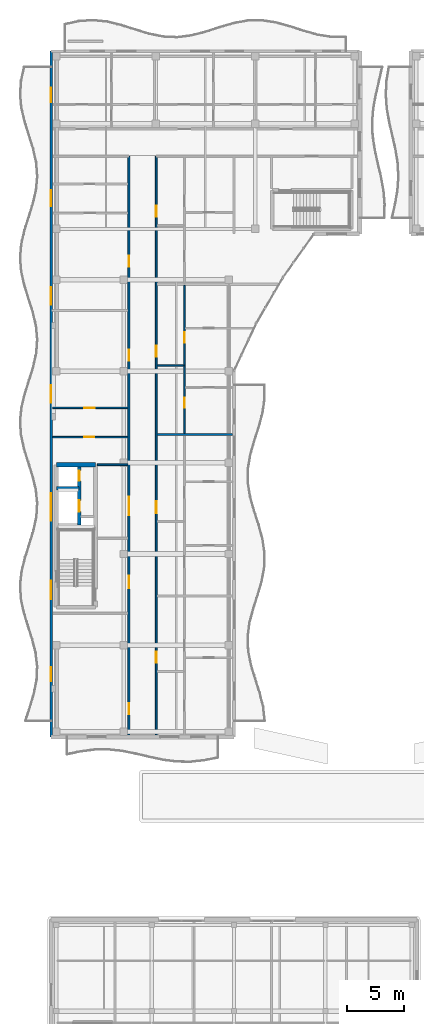
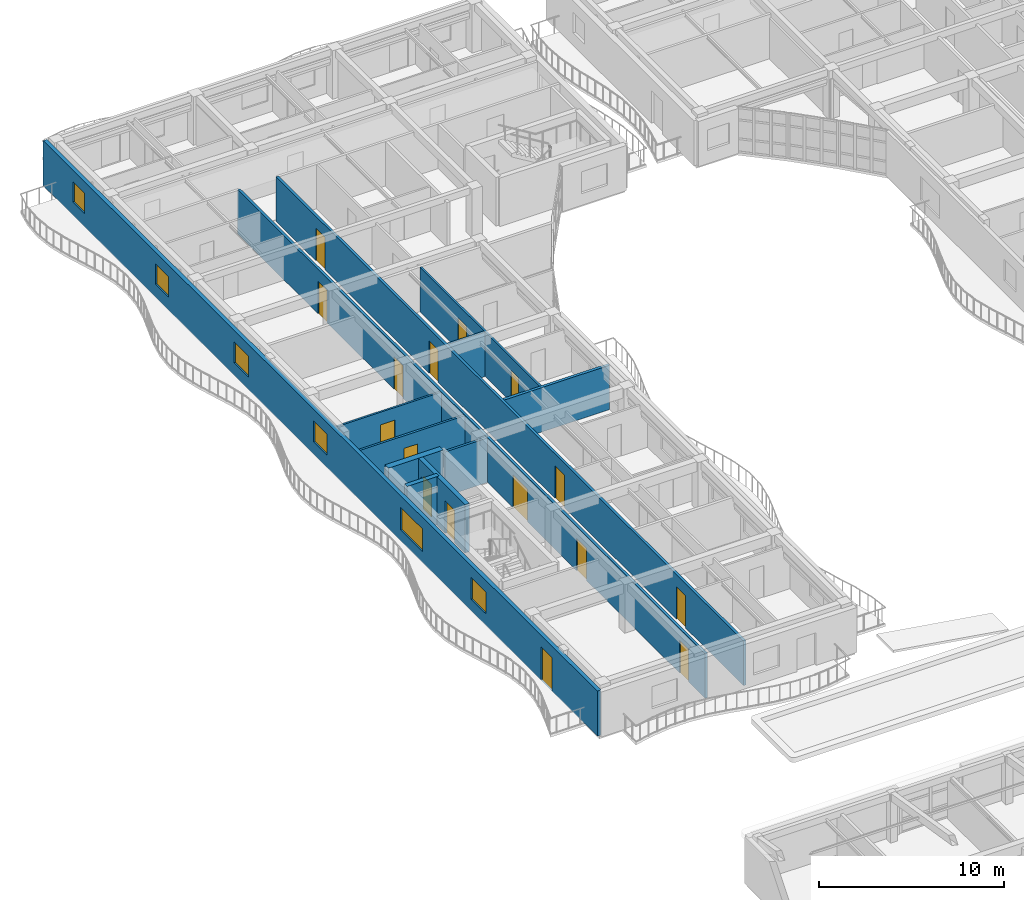
# One storey, part 86 of 128: 16 doors, 12 walls, 6 windows, 22 openings.
"""IFC4 building model written with IfcOpenShell, lengths in metres."""

from ifc_helpers import new_model, si_unit, direction, frame, frame_2d, origin, place, context, subcontext, project, spatial, rectangle, extrude, material, layer, layer_set, type_object, element, fill, save


model = new_model("IFC4")

# Units and contexts
model_context = context("Model", 3, precision=1e-05, world=origin(), true_north=direction((0.0, 1.0)))
body_context = subcontext(model_context, "Body", "Model", "MODEL_VIEW")
ifc_project = project(units=[si_unit("LENGTHUNIT", "METRE"), si_unit("AREAUNIT", "SQUARE_METRE"), si_unit("VOLUMEUNIT", "CUBIC_METRE"), si_unit("PLANEANGLEUNIT", "RADIAN"), si_unit("MASSUNIT", "GRAM", prefix="KILO")], contexts=[model_context])

# Site, building, storey
site_placement = place(None, origin())
site = spatial("IfcSite", under=ifc_project, at=site_placement, CompositionType="ELEMENT")
building_placement = place(site_placement, origin())
building = spatial("IfcBuilding", under=site, at=building_placement, Name="Keldmere Railside Commons", CompositionType="ELEMENT")
storey_placement = place(building_placement, frame((0.0, 0.0, 4.159912109375)))
storey = spatial("IfcBuildingStorey", under=building, at=storey_placement, Name="L01", CompositionType="ELEMENT", Elevation=4.159912109375)

# Wall
ifc_material_1 = material(Name="Acoustic Gypsum Board Partition", Category="gypsum")
ifc_layer_1 = layer(ifc_material_1, 0.179931640625, Name="Acoustic Demising Partition 180")
ifc_layer_set_1 = layer_set([ifc_layer_1], Name="Acoustic Gypsum Board Partition")
wall_type_1 = type_object("IfcWallType", Name="Acoustic Demising Partition 180", PredefinedType="PARTITIONING", material=ifc_layer_set_1)
wall_1_placement = place(storey_placement, frame((17.280029296875, 82.4599609375, 0.0), z_axis=(0.0, 0.0, 1.0), x_axis=(1.0, 0.0, 0.0)))
element("IfcWall", 1, at=wall_1_placement, inside=storey, type_object=wall_type_1, Name="IW-1 IW-L01-0211", PredefinedType="PARTITIONING", context=body_context, shape_type="SweptSolid", body=[
    extrude(rectangle(XDim=6.599853515625, YDim=0.179931640625, at=frame_2d((3.2998046875, 0.0))), origin(), (0.0, 0.0, 1.0), 2.93505859375),
])

# Wall, openings, doors
ifc_layer_2 = layer(ifc_material_1, 0.1201171875, Name="Apartment Interior Partition 120")
ifc_layer_set_2 = layer_set([ifc_layer_2], Name="Acoustic Gypsum Board Partition")
wall_type_2 = type_object("IfcWallType", Name="Apartment Interior Partition 120", PredefinedType="PARTITIONING", material=ifc_layer_set_2)
wall_2_placement = place(storey_placement, frame((19.659912109375, 82.550048828125, 0.0), z_axis=(0.0, 0.0, 1.0), x_axis=(0.0, 1.0, 0.0)))
wall_2 = element("IfcWall", 2, at=wall_2_placement, inside=storey, type_object=wall_type_2, Name="IW-4 IW-L01-0220", PredefinedType="PARTITIONING", context=body_context, shape_type="SweptSolid", body=[
    extrude(rectangle(XDim=12.9599609375, YDim=0.1201171875, at=frame_2d((6.47998046875, 0.0))), origin(), (0.0, 0.0, 1.0), 2.93505859375),
])
opening_1_placement = place(wall_2_placement, frame((2.264892578125, 0.0, 0.0)))
opening_1 = element("IfcOpeningElement", 3, at=opening_1_placement, cuts=wall_2, Name="Opening ID-04", PredefinedType="OPENING", context=body_context, shape_type="SweptSolid", body=[
    extrude(rectangle(XDim=0.860107421875, YDim=2.10009765625, at=frame_2d((0.43017578125, 1.050048828125))), frame((0.0, 0.070068359375, 0.0), z_axis=(0.0, -1.0, 0.0), x_axis=(1.0, 0.0, 0.0)), (0.0, 0.0, 1.0), 0.14013671875),
])
opening_2_placement = place(wall_2_placement, frame((7.919921875, 0.0, 0.0)))
opening_2 = element("IfcOpeningElement", 4, at=opening_2_placement, cuts=wall_2, Name="Opening ID-03", PredefinedType="OPENING", context=body_context, shape_type="SweptSolid", body=[
    extrude(rectangle(XDim=0.919921875, YDim=2.10009765625, at=frame_2d((0.4599609375, 1.050048828125))), frame((0.0, 0.070068359375, 0.0), z_axis=(0.0, -1.0, 0.0), x_axis=(1.0, 0.0, 0.0)), (0.0, 0.0, 1.0), 0.14013671875),
])
ifc_material_2 = material(Name="Engineered Oak Timber", Category="wood")
door_type_1 = type_object("IfcDoorType", Name="Apartment Bathroom Door 860x2100", OperationType="NOTDEFINED", PredefinedType="DOOR", material=ifc_material_2)
door_1_placement = place(opening_1_placement, origin())
door_1 = element("IfcDoor", 5, at=door_1_placement, inside=storey, type_object=door_type_1, Name="ID-04 IDR-L01-0126", OperationType="SINGLE_SWING_RIGHT", OverallHeight=2.10009765625, OverallWidth=0.860107421875, PredefinedType="DOOR", context=body_context, shape_type="SweptSolid", body=[
    extrude(rectangle(XDim=0.860107421875, YDim=2.10009765625, at=frame_2d((0.43017578125, 1.050048828125))), frame((0.0, 0.02490234375, 0.0), z_axis=(0.0, -1.0, 0.0), x_axis=(1.0, 0.0, 0.0)), (0.0, 0.0, 1.0), 0.050048828125),
])
fill(opening_1, door_1)
door_type_2 = type_object("IfcDoorType", Name="Kitchen Pocket-Frame Swing Door 920x2100", OperationType="NOTDEFINED", PredefinedType="DOOR", material=ifc_material_2)
door_2_placement = place(opening_2_placement, origin())
door_2 = element("IfcDoor", 6, at=door_2_placement, inside=storey, type_object=door_type_2, Name="ID-03 IDR-L01-0127", OperationType="SINGLE_SWING_LEFT", OverallHeight=2.10009765625, OverallWidth=0.919921875, PredefinedType="DOOR", context=body_context, shape_type="SweptSolid", body=[
    extrude(rectangle(XDim=0.919921875, YDim=2.10009765625, at=frame_2d((0.4599609375, 1.050048828125))), frame((0.0, 0.02490234375, 0.0), z_axis=(0.0, -1.0, 0.0), x_axis=(1.0, 0.0, 0.0)), (0.0, 0.0, 1.0), 0.050048828125),
])
fill(opening_2, door_2)

# Wall, opening, door
wall_3_placement = place(storey_placement, frame((8.1201171875, 84.780029296875, 0.0), z_axis=(0.0, 0.0, 1.0), x_axis=(1.0, 0.0, 0.0)))
wall_3 = element("IfcWall", 7, at=wall_3_placement, inside=storey, type_object=wall_type_2, Name="IW-4 IW-L01-0240", PredefinedType="PARTITIONING", context=body_context, shape_type="SweptSolid", body=[
    extrude(rectangle(XDim=6.599853515625, YDim=0.1201171875, at=frame_2d((3.2998046875, 0.0))), origin(), (0.0, 0.0, 1.0), 2.93505859375),
])
opening_3_placement = place(wall_3_placement, frame((2.77197265625, 0.0, 0.0)))
opening_3 = element("IfcOpeningElement", 8, at=opening_3_placement, cuts=wall_3, Name="Opening ID-03", PredefinedType="OPENING", context=body_context, shape_type="SweptSolid", body=[
    extrude(rectangle(XDim=0.919921875, YDim=2.10009765625, at=frame_2d((0.4599609375, 1.050048828125))), frame((0.0, 0.070068359375, 0.0), z_axis=(0.0, -1.0, 0.0), x_axis=(1.0, 0.0, 0.0)), (0.0, 0.0, 1.0), 0.14013671875),
])
door_3_placement = place(opening_3_placement, origin())
door_3 = element("IfcDoor", 9, at=door_3_placement, inside=storey, type_object=door_type_2, Name="ID-03 IDR-L01-0152", OperationType="SINGLE_SWING_RIGHT", OverallHeight=2.10009765625, OverallWidth=0.919921875, PredefinedType="DOOR", context=body_context, shape_type="SweptSolid", body=[
    extrude(rectangle(XDim=0.919921875, YDim=2.10009765625, at=frame_2d((0.4599609375, 1.050048828125))), frame((0.0, 0.02490234375, 0.0), z_axis=(0.0, -1.0, 0.0), x_axis=(1.0, 0.0, 0.0)), (0.0, 0.0, 1.0), 0.050048828125),
])
fill(opening_3, door_3)

# Wall
ifc_material_3 = material(Name="Concrete H-35 (C35/45)", Category="concrete")
ifc_layer_3 = layer(ifc_material_3, 0.280029296875, Name="Core Shear Wall 280")
ifc_layer_set_3 = layer_set([ifc_layer_3], Name="Concrete H-35 (C35/45)")
wall_type_3 = type_object("IfcWallType", Name="Core Shear Wall 280", PredefinedType="SHEAR", material=ifc_layer_set_3)
wall_4_placement = place(storey_placement, frame((8.4599609375, 77.75, 0.0), z_axis=(0.0, 0.0, 1.0), x_axis=(1.0, 0.0, 0.0)))
element("IfcWall", 10, at=wall_4_placement, inside=storey, type_object=wall_type_3, Name="CSW-2 COREDL-L01-0044", PredefinedType="SHEAR", context=body_context, shape_type="SweptSolid", body=[
    extrude(rectangle(XDim=2.0, YDim=0.280029296875, at=frame_2d((1.0, 0.0))), origin(), (0.0, 0.0, 1.0), 3.2001953125),
])

# Wall, openings, doors
wall_5_placement = place(storey_placement, frame((10.4599609375, 74.550048828125, 0.0), z_axis=(0.0, 0.0, 1.0), x_axis=(0.0, 1.0, 0.0)))
wall_5 = element("IfcWall", 11, at=wall_5_placement, inside=storey, type_object=wall_type_3, Name="CSW-2 LSHD-L01-0045", PredefinedType="SHEAR", context=body_context, shape_type="SweptSolid", body=[
    extrude(rectangle(XDim=5.25, YDim=0.280029296875, at=frame_2d((2.625, 0.0))), origin(), (0.0, 0.0, 1.0), 3.2001953125),
])
opening_4_placement = place(wall_5_placement, frame((1.14990234375, 0.0, 0.0)))
opening_4 = element("IfcOpeningElement", 12, at=opening_4_placement, cuts=wall_5, Name="Opening LD-1", PredefinedType="OPENING", context=body_context, shape_type="SweptSolid", body=[
    extrude(rectangle(XDim=1.0, YDim=2.14990234375, at=frame_2d((0.5, 1.074951171875))), frame((0.0, 0.14990234375, 0.0), z_axis=(0.0, -1.0, 0.0), x_axis=(1.0, 0.0, 0.0)), (0.0, 0.0, 1.0), 0.300048828125),
])
opening_5_placement = place(wall_5_placement, frame((3.85009765625, 0.0, 0.0)))
opening_5 = element("IfcOpeningElement", 13, at=opening_5_placement, cuts=wall_5, Name="Opening LD-2", PredefinedType="OPENING", context=body_context, shape_type="SweptSolid", body=[
    extrude(rectangle(XDim=0.89990234375, YDim=2.14990234375, at=frame_2d((0.449951171875, 1.074951171875))), frame((0.0, 0.14990234375, 0.0), z_axis=(0.0, -1.0, 0.0), x_axis=(1.0, 0.0, 0.0)), (0.0, 0.0, 1.0), 0.300048828125),
])
ifc_material_4 = material(Name="Steel F-24 (S235)", Category="steel")
door_type_3 = type_object("IfcDoorType", Name="Firefighting Stretcher Lift Landing Door 1000x2150", OperationType="SLIDING_TO_LEFT", PredefinedType="DOOR", material=ifc_material_4)
door_4_placement = place(opening_4_placement, origin())
door_4 = element("IfcDoor", 14, at=door_4_placement, inside=storey, type_object=door_type_3, Name="LD-1 D L01", OperationType="SLIDING_TO_LEFT", OverallHeight=2.14990234375, OverallWidth=1.0, PredefinedType="DOOR", context=body_context, shape_type="SweptSolid", body=[
    extrude(rectangle(XDim=1.0, YDim=2.14990234375, at=frame_2d((0.5, 1.074951171875))), frame((0.0, 0.02490234375, 0.0), z_axis=(0.0, -1.0, 0.0), x_axis=(1.0, 0.0, 0.0)), (0.0, 0.0, 1.0), 0.050048828125),
])
fill(opening_4, door_4)
door_type_4 = type_object("IfcDoorType", Name="Passenger Lift Sliding Landing Door 900x2150", OperationType="SLIDING_TO_RIGHT", PredefinedType="DOOR", material=ifc_material_4)
door_5_placement = place(opening_5_placement, origin())
door_5 = element("IfcDoor", 15, at=door_5_placement, inside=storey, type_object=door_type_4, Name="LD-2 D L01", OperationType="SLIDING_TO_RIGHT", OverallHeight=2.14990234375, OverallWidth=0.89990234375, PredefinedType="DOOR", context=body_context, shape_type="SweptSolid", body=[
    extrude(rectangle(XDim=0.89990234375, YDim=2.14990234375, at=frame_2d((0.449951171875, 1.074951171875))), frame((0.0, 0.02490234375, 0.0), z_axis=(0.0, -1.0, 0.0), x_axis=(1.0, 0.0, 0.0)), (0.0, 0.0, 1.0), 0.050048828125),
])
fill(opening_5, door_5)

# Wall
ifc_material_5 = material(Name="Concrete H-40 (C40/50)", Category="concrete")
ifc_layer_4 = layer(ifc_material_5, 0.3798828125, Name="Core Shear Wall 380")
ifc_layer_set_4 = layer_set([ifc_layer_4], Name="Concrete H-40 (C40/50)")
wall_type_4 = type_object("IfcWallType", Name="Core Shear Wall 380", PredefinedType="SHEAR", material=ifc_layer_set_4)
wall_6_placement = place(storey_placement, frame((8.4599609375, 79.800048828125, 0.0), z_axis=(0.0, 0.0, 1.0), x_axis=(1.0, 0.0, 0.0)))
element("IfcWall", 16, at=wall_6_placement, inside=storey, type_object=wall_type_4, Name="CW-CORE COREDN-L01-0040", PredefinedType="SHEAR", context=body_context, shape_type="SweptSolid", body=[
    extrude(rectangle(XDim=3.41015625, YDim=0.3798828125, at=frame_2d((1.705078125, 0.0))), origin(), (0.0, 0.0, 1.0), 3.2001953125),
])

# Wall, openings, doors
ifc_layer_5 = layer(ifc_material_1, 0.159912109375, Name="Corridor Fire Partition 160")
ifc_layer_set_5 = layer_set([ifc_layer_5], Name="Acoustic Gypsum Board Partition")
wall_type_5 = type_object("IfcWallType", Name="Corridor Fire Partition 160", PredefinedType="PARTITIONING", material=ifc_layer_set_5)
wall_7_placement = place(storey_placement, frame((14.800048828125, 56.179931640625, 0.0), z_axis=(0.0, 0.0, 1.0), x_axis=(0.0, 1.0, 0.0)))
wall_7 = element("IfcWall", 17, at=wall_7_placement, inside=storey, type_object=wall_type_5, Name="IW-2 IW-L01-0202", PredefinedType="PARTITIONING", context=body_context, shape_type="SweptSolid", body=[
    extrude(rectangle(XDim=50.6201171875, YDim=0.159912109375, at=frame_2d((25.31005859375, 0.0))), origin(), (0.0, 0.0, 1.0), 2.93505859375),
])
opening_6_placement = place(wall_7_placement, frame((12.820068359375, 0.0, 0.0)))
opening_6 = element("IfcOpeningElement", 18, at=opening_6_placement, cuts=wall_7, Name="Opening FD-2", PredefinedType="OPENING", context=body_context, shape_type="SweptSolid", body=[
    extrude(rectangle(XDim=1.10009765625, YDim=2.14990234375, at=frame_2d((0.550048828125, 1.074951171875))), frame((0.0, 0.08984375, 0.0), z_axis=(0.0, -1.0, 0.0), x_axis=(1.0, 0.0, 0.0)), (0.0, 0.0, 1.0), 0.179931640625),
])
opening_7_placement = place(wall_7_placement, frame((19.219970703125, 0.0, 0.0)))
opening_7 = element("IfcOpeningElement", 19, at=opening_7_placement, cuts=wall_7, Name="Opening FD-4", PredefinedType="OPENING", context=body_context, shape_type="SweptSolid", body=[
    extrude(rectangle(XDim=1.60009765625, YDim=2.14990234375, at=frame_2d((0.800048828125, 1.074951171875))), frame((0.0, 0.08984375, 0.0), z_axis=(0.0, -1.0, 0.0), x_axis=(1.0, 0.0, 0.0)), (0.0, 0.0, 1.0), 0.179931640625),
])
opening_8_placement = place(wall_7_placement, frame((1.800048828125, 0.0, 0.0)))
opening_8 = element("IfcOpeningElement", 20, at=opening_8_placement, cuts=wall_7, Name="Opening ID-08", PredefinedType="OPENING", context=body_context, shape_type="SweptSolid", body=[
    extrude(rectangle(XDim=0.9599609375, YDim=2.14990234375, at=frame_2d((0.47998046875, 1.074951171875))), frame((0.0, 0.08984375, 0.0), z_axis=(0.0, -1.0, 0.0), x_axis=(1.0, 0.0, 0.0)), (0.0, 0.0, 1.0), 0.179931640625),
])
opening_9_placement = place(wall_7_placement, frame((32.72509765625, 0.0, 0.0)))
opening_9 = element("IfcOpeningElement", 21, at=opening_9_placement, cuts=wall_7, Name="Opening FD-7", PredefinedType="OPENING", context=body_context, shape_type="SweptSolid", body=[
    extrude(rectangle(XDim=0.97998046875, YDim=2.14990234375, at=frame_2d((0.489990234375, 1.074951171875))), frame((0.0, 0.08984375, 0.0), z_axis=(0.0, -1.0, 0.0), x_axis=(1.0, 0.0, 0.0)), (0.0, 0.0, 1.0), 0.179931640625),
])
opening_10_placement = place(wall_7_placement, frame((40.93505859375, 0.0, 0.0)))
opening_10 = element("IfcOpeningElement", 22, at=opening_10_placement, cuts=wall_7, Name="Opening FD-7", PredefinedType="OPENING", context=body_context, shape_type="SweptSolid", body=[
    extrude(rectangle(XDim=0.97998046875, YDim=2.14990234375, at=frame_2d((0.489990234375, 1.074951171875))), frame((0.0, 0.08984375, 0.0), z_axis=(0.0, -1.0, 0.0), x_axis=(1.0, 0.0, 0.0)), (0.0, 0.0, 1.0), 0.179931640625),
])
door_type_5 = type_object("IfcDoorType", Name="Apartment Entrance Acoustic Fire Door 980x2150", OperationType="NOTDEFINED", PredefinedType="DOOR", material=ifc_material_2)
door_6_placement = place(opening_9_placement, origin())
door_6 = element("IfcDoor", 23, at=door_6_placement, inside=storey, type_object=door_type_5, Name="FD-7 IDR-L01-0153", OperationType="SINGLE_SWING_LEFT", OverallHeight=2.14990234375, OverallWidth=0.97998046875, PredefinedType="DOOR", context=body_context, shape_type="SweptSolid", body=[
    extrude(rectangle(XDim=0.97998046875, YDim=2.14990234375, at=frame_2d((0.489990234375, 1.074951171875))), frame((0.0, 0.02490234375, 0.0), z_axis=(0.0, -1.0, 0.0), x_axis=(1.0, 0.0, 0.0)), (0.0, 0.0, 1.0), 0.050048828125),
])
fill(opening_9, door_6)
door_7_placement = place(opening_10_placement, origin())
door_7 = element("IfcDoor", 24, at=door_7_placement, inside=storey, type_object=door_type_5, Name="FD-7 IDR-L01-0156", OperationType="SINGLE_SWING_RIGHT", OverallHeight=2.14990234375, OverallWidth=0.97998046875, PredefinedType="DOOR", context=body_context, shape_type="SweptSolid", body=[
    extrude(rectangle(XDim=0.97998046875, YDim=2.14990234375, at=frame_2d((0.489990234375, 1.074951171875))), frame((0.0, 0.02490234375, 0.0), z_axis=(0.0, -1.0, 0.0), x_axis=(1.0, 0.0, 0.0)), (0.0, 0.0, 1.0), 0.050048828125),
])
fill(opening_10, door_7)
door_type_6 = type_object("IfcDoorType", Name="Corridor Cross-Compartment Double Fire Door 1600x2150", OperationType="DOUBLE_DOOR_SINGLE_SWING", PredefinedType="DOOR", material=ifc_material_4)
door_8_placement = place(opening_7_placement, origin())
door_8 = element("IfcDoor", 25, at=door_8_placement, inside=storey, type_object=door_type_6, Name="FD-4 IDR-L01-0116", OperationType="DOUBLE_DOOR_SINGLE_SWING", OverallHeight=2.14990234375, OverallWidth=1.60009765625, PredefinedType="DOOR", context=body_context, shape_type="SweptSolid", body=[
    extrude(rectangle(XDim=1.60009765625, YDim=2.14990234375, at=frame_2d((0.800048828125, 1.074951171875))), frame((0.0, 0.02490234375, 0.0), z_axis=(0.0, -1.0, 0.0), x_axis=(1.0, 0.0, 0.0)), (0.0, 0.0, 1.0), 0.050048828125),
])
fill(opening_7, door_8)
door_type_7 = type_object("IfcDoorType", Name="Firefighting Lobby Fire Door 1100x2150", OperationType="NOTDEFINED", PredefinedType="DOOR", material=ifc_material_4)
door_9_placement = place(opening_6_placement, origin())
door_9 = element("IfcDoor", 26, at=door_9_placement, inside=storey, type_object=door_type_7, Name="FD-2 IDR-L01-0115", OperationType="SINGLE_SWING_LEFT", OverallHeight=2.14990234375, OverallWidth=1.10009765625, PredefinedType="DOOR", context=body_context, shape_type="SweptSolid", body=[
    extrude(rectangle(XDim=1.10009765625, YDim=2.14990234375, at=frame_2d((0.550048828125, 1.074951171875))), frame((0.0, 0.02490234375, 0.0), z_axis=(0.0, -1.0, 0.0), x_axis=(1.0, 0.0, 0.0)), (0.0, 0.0, 1.0), 0.050048828125),
])
fill(opening_6, door_9)
door_type_8 = type_object("IfcDoorType", Name="Study & Meeting Room Door 960x2150", OperationType="NOTDEFINED", PredefinedType="DOOR", material=ifc_material_2)
door_10_placement = place(opening_8_placement, origin())
door_10 = element("IfcDoor", 27, at=door_10_placement, inside=storey, type_object=door_type_8, Name="ID-08 IDR-L01-0150", OperationType="SINGLE_SWING_RIGHT", OverallHeight=2.14990234375, OverallWidth=0.9599609375, PredefinedType="DOOR", context=body_context, shape_type="SweptSolid", body=[
    extrude(rectangle(XDim=0.9599609375, YDim=2.14990234375, at=frame_2d((0.47998046875, 1.074951171875))), frame((0.0, 0.02490234375, 0.0), z_axis=(0.0, -1.0, 0.0), x_axis=(1.0, 0.0, 0.0)), (0.0, 0.0, 1.0), 0.050048828125),
])
fill(opening_8, door_10)

wall_8_placement = place(storey_placement, frame((17.199951171875, 56.179931640625, 0.0), z_axis=(0.0, 0.0, 1.0), x_axis=(0.0, 1.0, 0.0)))
wall_8 = element("IfcWall", 28, at=wall_8_placement, inside=storey, type_object=wall_type_5, Name="IW-2 IW-L01-0203", PredefinedType="PARTITIONING", context=body_context, shape_type="SweptSolid", body=[
    extrude(rectangle(XDim=50.6201171875, YDim=0.159912109375, at=frame_2d((25.31005859375, 0.0))), origin(), (0.0, 0.0, 1.0), 2.93505859375),
])
opening_11_placement = place(wall_8_placement, frame((6.2900390625, 0.0, 0.0)))
opening_11 = element("IfcOpeningElement", 29, at=opening_11_placement, cuts=wall_8, Name="Opening FD-7", PredefinedType="OPENING", context=body_context, shape_type="SweptSolid", body=[
    extrude(rectangle(XDim=0.97998046875, YDim=2.14990234375, at=frame_2d((0.489990234375, 1.074951171875))), frame((0.0, 0.08984375, 0.0), z_axis=(0.0, -1.0, 0.0), x_axis=(1.0, 0.0, 0.0)), (0.0, 0.0, 1.0), 0.179931640625),
])
opening_12_placement = place(wall_8_placement, frame((19.39990234375, 0.0, 0.0)))
opening_12 = element("IfcOpeningElement", 30, at=opening_12_placement, cuts=wall_8, Name="Opening FD-8", PredefinedType="OPENING", context=body_context, shape_type="SweptSolid", body=[
    extrude(rectangle(XDim=1.02001953125, YDim=2.14990234375, at=frame_2d((0.510009765625, 1.074951171875))), frame((0.0, 0.08984375, 0.0), z_axis=(0.0, -1.0, 0.0), x_axis=(1.0, 0.0, 0.0)), (0.0, 0.0, 1.0), 0.179931640625),
])
opening_13_placement = place(wall_8_placement, frame((33.080078125, 0.0, 0.0)))
opening_13 = element("IfcOpeningElement", 31, at=opening_13_placement, cuts=wall_8, Name="Opening FD-7", PredefinedType="OPENING", context=body_context, shape_type="SweptSolid", body=[
    extrude(rectangle(XDim=0.97998046875, YDim=2.14990234375, at=frame_2d((0.489990234375, 1.074951171875))), frame((0.0, 0.08984375, 0.0), z_axis=(0.0, -1.0, 0.0), x_axis=(1.0, 0.0, 0.0)), (0.0, 0.0, 1.0), 0.179931640625),
])
opening_14_placement = place(wall_8_placement, frame((45.330078125, 0.0, 0.0)))
opening_14 = element("IfcOpeningElement", 32, at=opening_14_placement, cuts=wall_8, Name="Opening FD-7", PredefinedType="OPENING", context=body_context, shape_type="SweptSolid", body=[
    extrude(rectangle(XDim=0.97998046875, YDim=2.14990234375, at=frame_2d((0.489990234375, 1.074951171875))), frame((0.0, 0.08984375, 0.0), z_axis=(0.0, -1.0, 0.0), x_axis=(1.0, 0.0, 0.0)), (0.0, 0.0, 1.0), 0.179931640625),
])
door_type_9 = type_object("IfcDoorType", Name="Adaptable Apartment Entrance Fire Door 1020x2150", OperationType="NOTDEFINED", PredefinedType="DOOR", material=ifc_material_2)
door_11_placement = place(opening_12_placement, origin())
door_11 = element("IfcDoor", 33, at=door_11_placement, inside=storey, type_object=door_type_9, Name="FD-8 IDR-L01-0123", OperationType="SINGLE_SWING_LEFT", OverallHeight=2.14990234375, OverallWidth=1.02001953125, PredefinedType="DOOR", context=body_context, shape_type="SweptSolid", body=[
    extrude(rectangle(XDim=1.02001953125, YDim=2.14990234375, at=frame_2d((0.510009765625, 1.074951171875))), frame((0.0, 0.02490234375, 0.0), z_axis=(0.0, -1.0, 0.0), x_axis=(1.0, 0.0, 0.0)), (0.0, 0.0, 1.0), 0.050048828125),
])
fill(opening_12, door_11)
door_12_placement = place(opening_11_placement, origin())
door_12 = element("IfcDoor", 34, at=door_12_placement, inside=storey, type_object=door_type_5, Name="FD-7 IDR-L01-0119", OperationType="SINGLE_SWING_LEFT", OverallHeight=2.14990234375, OverallWidth=0.97998046875, PredefinedType="DOOR", context=body_context, shape_type="SweptSolid", body=[
    extrude(rectangle(XDim=0.97998046875, YDim=2.14990234375, at=frame_2d((0.489990234375, 1.074951171875))), frame((0.0, 0.02490234375, 0.0), z_axis=(0.0, -1.0, 0.0), x_axis=(1.0, 0.0, 0.0)), (0.0, 0.0, 1.0), 0.050048828125),
])
fill(opening_11, door_12)
door_13_placement = place(opening_13_placement, origin())
door_13 = element("IfcDoor", 35, at=door_13_placement, inside=storey, type_object=door_type_5, Name="FD-7 IDR-L01-0128", OperationType="SINGLE_SWING_RIGHT", OverallHeight=2.14990234375, OverallWidth=0.97998046875, PredefinedType="DOOR", context=body_context, shape_type="SweptSolid", body=[
    extrude(rectangle(XDim=0.97998046875, YDim=2.14990234375, at=frame_2d((0.489990234375, 1.074951171875))), frame((0.0, 0.02490234375, 0.0), z_axis=(0.0, -1.0, 0.0), x_axis=(1.0, 0.0, 0.0)), (0.0, 0.0, 1.0), 0.050048828125),
])
fill(opening_13, door_13)
door_14_placement = place(opening_14_placement, origin())
door_14 = element("IfcDoor", 36, at=door_14_placement, inside=storey, type_object=door_type_5, Name="FD-7 IDR-L01-0133", OperationType="SINGLE_SWING_LEFT", OverallHeight=2.14990234375, OverallWidth=0.97998046875, PredefinedType="DOOR", context=body_context, shape_type="SweptSolid", body=[
    extrude(rectangle(XDim=0.97998046875, YDim=2.14990234375, at=frame_2d((0.489990234375, 1.074951171875))), frame((0.0, 0.02490234375, 0.0), z_axis=(0.0, -1.0, 0.0), x_axis=(1.0, 0.0, 0.0)), (0.0, 0.0, 1.0), 0.050048828125),
])
fill(opening_14, door_14)

# Wall
ifc_layer_6 = layer(ifc_material_1, 0.14990234375, Name="Lobby Rated Partition 150")
ifc_layer_set_6 = layer_set([ifc_layer_6], Name="Acoustic Gypsum Board Partition")
wall_type_6 = type_object("IfcWallType", Name="Lobby Rated Partition 150", PredefinedType="PARTITIONING", material=ifc_layer_set_6)
wall_9_placement = place(storey_placement, frame((12.0400390625, 79.800048828125, 0.0), z_axis=(0.0, 0.0, 1.0), x_axis=(1.0, 0.0, 0.0)))
element("IfcWall", 37, at=wall_9_placement, inside=storey, type_object=wall_type_6, Name="IW-3 IW-L01-0201", PredefinedType="PARTITIONING", context=body_context, shape_type="SweptSolid", body=[
    extrude(rectangle(XDim=2.679931640625, YDim=0.14990234375, at=frame_2d((1.33984375, 0.0))), origin(), (0.0, 0.0, 1.0), 2.93505859375),
])

# Wall, openings, door, windows
ifc_material_6 = material(Name="Architectural Precast Concrete H-35 (C35/45)", Category="concrete")
ifc_layer_7 = layer(ifc_material_6, 0.239990234375, Name="Sand-Ochre Precast Cavity Wall 240")
ifc_layer_set_7 = layer_set([ifc_layer_7], Name="Architectural Precast Concrete H-35 (C35/45)")
wall_type_7 = type_object("IfcWallType", Name="Sand-Ochre Precast Cavity Wall 240", PredefinedType="SOLIDWALL", material=ifc_layer_set_7)
wall_10_placement = place(storey_placement, frame((8.0, 56.0, 0.0), z_axis=(0.0, 0.0, 1.0), x_axis=(0.0, 1.0, 0.0)))
wall_10 = element("IfcWall", 38, at=wall_10_placement, inside=storey, type_object=wall_type_7, Name="EW-2 EXTD-L01-0134", PredefinedType="SOLIDWALL", context=body_context, shape_type="SweptSolid", body=[
    extrude(rectangle(XDim=60.0, YDim=0.239990234375, at=frame_2d((30.0, 0.0))), origin(), (0.0, 0.0, 1.0), 2.97998046875),
])
opening_15_placement = place(wall_10_placement, frame((4.8857421875, 0.0, 0.0)))
opening_15 = element("IfcOpeningElement", 39, at=opening_15_placement, cuts=wall_10, Name="Opening BD-01", PredefinedType="OPENING", context=body_context, shape_type="SweptSolid", body=[
    extrude(rectangle(XDim=1.199951171875, YDim=2.199951171875, at=frame_2d((0.60009765625, 1.10009765625))), frame((0.0, 0.1298828125, 0.0), z_axis=(0.0, -1.0, 0.0), x_axis=(1.0, 0.0, 0.0)), (0.0, 0.0, 1.0), 0.260009765625),
])
opening_16_placement = place(wall_10_placement, frame((12.05712890625, 0.0, 0.77001953125)))
opening_16 = element("IfcOpeningElement", 40, at=opening_16_placement, cuts=wall_10, Name="Opening WN-04", PredefinedType="OPENING", context=body_context, shape_type="SweptSolid", body=[
    extrude(rectangle(XDim=1.60009765625, YDim=1.449951171875, at=frame_2d((0.800048828125, 0.72509765625))), frame((0.0, 0.1298828125, 0.0), z_axis=(0.0, -1.0, 0.0), x_axis=(1.0, 0.0, 0.0)), (0.0, 0.0, 1.0), 0.260009765625),
])
opening_17_placement = place(wall_10_placement, frame((18.9287109375, 0.0, 0.719970703125)))
opening_17 = element("IfcOpeningElement", 41, at=opening_17_placement, cuts=wall_10, Name="Opening WN-05", PredefinedType="OPENING", context=body_context, shape_type="SweptSolid", body=[
    extrude(rectangle(XDim=2.39990234375, YDim=1.5, at=frame_2d((1.199951171875, 0.75))), frame((0.0, 0.1298828125, 0.0), z_axis=(0.0, -1.0, 0.0), x_axis=(1.0, 0.0, 0.0)), (0.0, 0.0, 1.0), 0.260009765625),
])
opening_18_placement = place(wall_10_placement, frame((29.25, 0.0, 0.820068359375)))
opening_18 = element("IfcOpeningElement", 42, at=opening_18_placement, cuts=wall_10, Name="Opening WN-06", PredefinedType="OPENING", context=body_context, shape_type="SweptSolid", body=[
    extrude(rectangle(XDim=1.5, YDim=1.39990234375, at=frame_2d((0.75, 0.699951171875))), frame((0.0, 0.1298828125, 0.0), z_axis=(0.0, -1.0, 0.0), x_axis=(1.0, 0.0, 0.0)), (0.0, 0.0, 1.0), 0.260009765625),
])
opening_19_placement = place(wall_10_placement, frame((37.79638671875, 0.0, 0.820068359375)))
opening_19 = element("IfcOpeningElement", 43, at=opening_19_placement, cuts=wall_10, Name="Opening WN-07", PredefinedType="OPENING", context=body_context, shape_type="SweptSolid", body=[
    extrude(rectangle(XDim=1.550048828125, YDim=1.39990234375, at=frame_2d((0.77490234375, 0.699951171875))), frame((0.0, 0.1298828125, 0.0), z_axis=(0.0, -1.0, 0.0), x_axis=(1.0, 0.0, 0.0)), (0.0, 0.0, 1.0), 0.260009765625),
])
opening_20_placement = place(wall_10_placement, frame((46.44287109375, 0.0, 0.8701171875)))
opening_20 = element("IfcOpeningElement", 44, at=opening_20_placement, cuts=wall_10, Name="Opening WN-08", PredefinedType="OPENING", context=body_context, shape_type="SweptSolid", body=[
    extrude(rectangle(XDim=1.39990234375, YDim=1.35009765625, at=frame_2d((0.699951171875, 0.675048828125))), frame((0.0, 0.1298828125, 0.0), z_axis=(0.0, -1.0, 0.0), x_axis=(1.0, 0.0, 0.0)), (0.0, 0.0, 1.0), 0.260009765625),
])
opening_21_placement = place(wall_10_placement, frame((55.539306640625, 0.0, 0.8701171875)))
opening_21 = element("IfcOpeningElement", 45, at=opening_21_placement, cuts=wall_10, Name="Opening WN-09", PredefinedType="OPENING", context=body_context, shape_type="SweptSolid", body=[
    extrude(rectangle(XDim=1.25, YDim=1.35009765625, at=frame_2d((0.625, 0.675048828125))), frame((0.0, 0.1298828125, 0.0), z_axis=(0.0, -1.0, 0.0), x_axis=(1.0, 0.0, 0.0)), (0.0, 0.0, 1.0), 0.260009765625),
])
ifc_material_7 = material(Name="Thermally Broken Aluminium", Category="aluminium")
door_type_10 = type_object("IfcDoorType", Name="Apartment Living Wave-Balcony Glazed Door 1200x2200", OperationType="NOTDEFINED", PredefinedType="DOOR", material=ifc_material_7)
door_15_placement = place(opening_15_placement, origin())
door_15 = element("IfcDoor", 46, at=door_15_placement, inside=storey, type_object=door_type_10, Name="BD-01 DR-L01-0012", OperationType="SINGLE_SWING_RIGHT", OverallHeight=2.199951171875, OverallWidth=1.199951171875, PredefinedType="DOOR", context=body_context, shape_type="SweptSolid", body=[
    extrude(rectangle(XDim=1.199951171875, YDim=2.199951171875, at=frame_2d((0.60009765625, 1.10009765625))), frame((0.0, 0.02490234375, 0.0), z_axis=(0.0, -1.0, 0.0), x_axis=(1.0, 0.0, 0.0)), (0.0, 0.0, 1.0), 0.050048828125),
])
fill(opening_15, door_15)
ifc_material_8 = material(Name="Low-E Insulated Double Glazing", Category="glass")
window_type_1 = type_object("IfcWindowType", Name="Corner Dual-Aspect Ribbon Window 2400x1500", PartitioningType="SINGLE_PANEL", PredefinedType="WINDOW", material=ifc_material_8)
window_1_placement = place(opening_17_placement, origin())
window_1 = element("IfcWindow", 47, at=window_1_placement, inside=storey, type_object=window_type_1, Name="WN-05 WIN-L01-0041", OverallHeight=1.5, OverallWidth=2.39990234375, PartitioningType="SINGLE_PANEL", PredefinedType="WINDOW", context=body_context, shape_type="SweptSolid", body=[
    extrude(rectangle(XDim=2.39990234375, YDim=1.5, at=frame_2d((1.199951171875, 0.75))), frame((0.0, 0.030029296875, 0.0), z_axis=(0.0, -1.0, 0.0), x_axis=(1.0, 0.0, 0.0)), (0.0, 0.0, 1.0), 0.06005859375),
])
fill(opening_17, window_1)
window_type_2 = type_object("IfcWindowType", Name="Living Room West Shaded Window 1600x1450", PartitioningType="SINGLE_PANEL", PredefinedType="WINDOW", material=ifc_material_8)
window_2_placement = place(opening_16_placement, origin())
window_2 = element("IfcWindow", 48, at=window_2_placement, inside=storey, type_object=window_type_2, Name="WN-04 WIN-L01-0040", OverallHeight=1.449951171875, OverallWidth=1.60009765625, PartitioningType="SINGLE_PANEL", PredefinedType="WINDOW", context=body_context, shape_type="SweptSolid", body=[
    extrude(rectangle(XDim=1.60009765625, YDim=1.449951171875, at=frame_2d((0.800048828125, 0.72509765625))), frame((0.0, 0.030029296875, 0.0), z_axis=(0.0, -1.0, 0.0), x_axis=(1.0, 0.0, 0.0)), (0.0, 0.0, 1.0), 0.06005859375),
])
fill(opening_16, window_2)
window_type_3 = type_object("IfcWindowType", Name="Primary Bedroom East/West Window 1400x1350", PartitioningType="SINGLE_PANEL", PredefinedType="WINDOW", material=ifc_material_8)
window_3_placement = place(opening_20_placement, origin())
window_3 = element("IfcWindow", 49, at=window_3_placement, inside=storey, type_object=window_type_3, Name="WN-08 WIN-L01-0044", OverallHeight=1.35009765625, OverallWidth=1.39990234375, PartitioningType="SINGLE_PANEL", PredefinedType="WINDOW", context=body_context, shape_type="SweptSolid", body=[
    extrude(rectangle(XDim=1.39990234375, YDim=1.35009765625, at=frame_2d((0.699951171875, 0.675048828125))), frame((0.0, 0.030029296875, 0.0), z_axis=(0.0, -1.0, 0.0), x_axis=(1.0, 0.0, 0.0)), (0.0, 0.0, 1.0), 0.06005859375),
])
fill(opening_20, window_3)
window_type_4 = type_object("IfcWindowType", Name="Primary Bedroom North Window 1500x1400", PartitioningType="SINGLE_PANEL", PredefinedType="WINDOW", material=ifc_material_8)
window_4_placement = place(opening_18_placement, origin())
window_4 = element("IfcWindow", 50, at=window_4_placement, inside=storey, type_object=window_type_4, Name="WN-06 WIN-L01-0042", OverallHeight=1.39990234375, OverallWidth=1.5, PartitioningType="SINGLE_PANEL", PredefinedType="WINDOW", context=body_context, shape_type="SweptSolid", body=[
    extrude(rectangle(XDim=1.5, YDim=1.39990234375, at=frame_2d((0.75, 0.699951171875))), frame((0.0, 0.030029296875, 0.0), z_axis=(0.0, -1.0, 0.0), x_axis=(1.0, 0.0, 0.0)), (0.0, 0.0, 1.0), 0.06005859375),
])
fill(opening_18, window_4)
window_type_5 = type_object("IfcWindowType", Name="Primary Bedroom South Window 1550x1400", PartitioningType="SINGLE_PANEL", PredefinedType="WINDOW", material=ifc_material_8)
window_5_placement = place(opening_19_placement, origin())
window_5 = element("IfcWindow", 51, at=window_5_placement, inside=storey, type_object=window_type_5, Name="WN-07 WIN-L01-0043", OverallHeight=1.39990234375, OverallWidth=1.550048828125, PartitioningType="SINGLE_PANEL", PredefinedType="WINDOW", context=body_context, shape_type="SweptSolid", body=[
    extrude(rectangle(XDim=1.550048828125, YDim=1.39990234375, at=frame_2d((0.77490234375, 0.699951171875))), frame((0.0, 0.030029296875, 0.0), z_axis=(0.0, -1.0, 0.0), x_axis=(1.0, 0.0, 0.0)), (0.0, 0.0, 1.0), 0.06005859375),
])
fill(opening_19, window_5)
window_type_6 = type_object("IfcWindowType", Name="Secondary Bedroom Window 1250x1350", PartitioningType="SINGLE_PANEL", PredefinedType="WINDOW", material=ifc_material_8)
window_6_placement = place(opening_21_placement, origin())
window_6 = element("IfcWindow", 52, at=window_6_placement, inside=storey, type_object=window_type_6, Name="WN-09 WIN-L01-0045", OverallHeight=1.35009765625, OverallWidth=1.25, PartitioningType="SINGLE_PANEL", PredefinedType="WINDOW", context=body_context, shape_type="SweptSolid", body=[
    extrude(rectangle(XDim=1.25, YDim=1.35009765625, at=frame_2d((0.625, 0.675048828125))), frame((0.0, 0.030029296875, 0.0), z_axis=(0.0, -1.0, 0.0), x_axis=(1.0, 0.0, 0.0)), (0.0, 0.0, 1.0), 0.06005859375),
])
fill(opening_21, window_6)

# Wall
ifc_layer_8 = layer(ifc_material_1, 0.139892578125, Name="Wet-Room Sanitary Partition 140")
ifc_layer_set_8 = layer_set([ifc_layer_8], Name="Acoustic Gypsum Board Partition")
wall_type_8 = type_object("IfcWallType", Name="Wet-Room Sanitary Partition 140", PredefinedType="PARTITIONING", material=ifc_layer_set_8)
wall_11_placement = place(storey_placement, frame((17.280029296875, 88.510009765625, 0.0), z_axis=(0.0, 0.0, 1.0), x_axis=(1.0, 0.0, 0.0)))
element("IfcWall", 53, at=wall_11_placement, inside=storey, type_object=wall_type_8, Name="IW-5 IW-L01-0221", PredefinedType="PARTITIONING", context=body_context, shape_type="SweptSolid", body=[
    extrude(rectangle(XDim=2.320068359375, YDim=0.139892578125, at=frame_2d((1.16015625, 0.0))), origin(), (0.0, 0.0, 1.0), 2.93505859375),
])

# Wall, opening, door
wall_12_placement = place(storey_placement, frame((8.1201171875, 82.22998046875, 0.0), z_axis=(0.0, 0.0, 1.0), x_axis=(1.0, 0.0, 0.0)))
wall_12 = element("IfcWall", 54, at=wall_12_placement, inside=storey, type_object=wall_type_8, Name="IW-5 IW-L01-0239", PredefinedType="PARTITIONING", context=body_context, shape_type="SweptSolid", body=[
    extrude(rectangle(XDim=6.599853515625, YDim=0.139892578125, at=frame_2d((3.2998046875, 0.0))), origin(), (0.0, 0.0, 1.0), 2.93505859375),
])
opening_22_placement = place(wall_12_placement, frame((2.77197265625, 0.0, 0.0)))
opening_22 = element("IfcOpeningElement", 55, at=opening_22_placement, cuts=wall_12, Name="Opening ID-04", PredefinedType="OPENING", context=body_context, shape_type="SweptSolid", body=[
    extrude(rectangle(XDim=0.860107421875, YDim=2.10009765625, at=frame_2d((0.43017578125, 1.050048828125))), frame((0.0, 0.079833984375, 0.0), z_axis=(0.0, -1.0, 0.0), x_axis=(1.0, 0.0, 0.0)), (0.0, 0.0, 1.0), 0.159912109375),
])
door_16_placement = place(opening_22_placement, origin())
door_16 = element("IfcDoor", 56, at=door_16_placement, inside=storey, type_object=door_type_1, Name="ID-04 IDR-L01-0151", OperationType="SINGLE_SWING_LEFT", OverallHeight=2.10009765625, OverallWidth=0.860107421875, PredefinedType="DOOR", context=body_context, shape_type="SweptSolid", body=[
    extrude(rectangle(XDim=0.860107421875, YDim=2.10009765625, at=frame_2d((0.43017578125, 1.050048828125))), frame((0.0, 0.02490234375, 0.0), z_axis=(0.0, -1.0, 0.0), x_axis=(1.0, 0.0, 0.0)), (0.0, 0.0, 1.0), 0.050048828125),
])
fill(opening_22, door_16)

save(model, "model.ifc")
